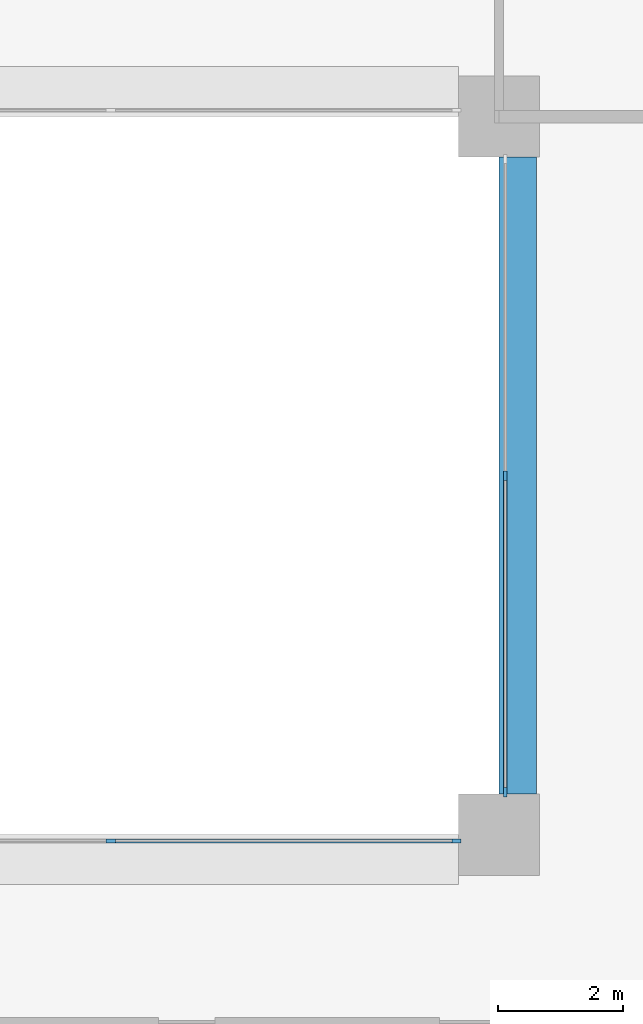
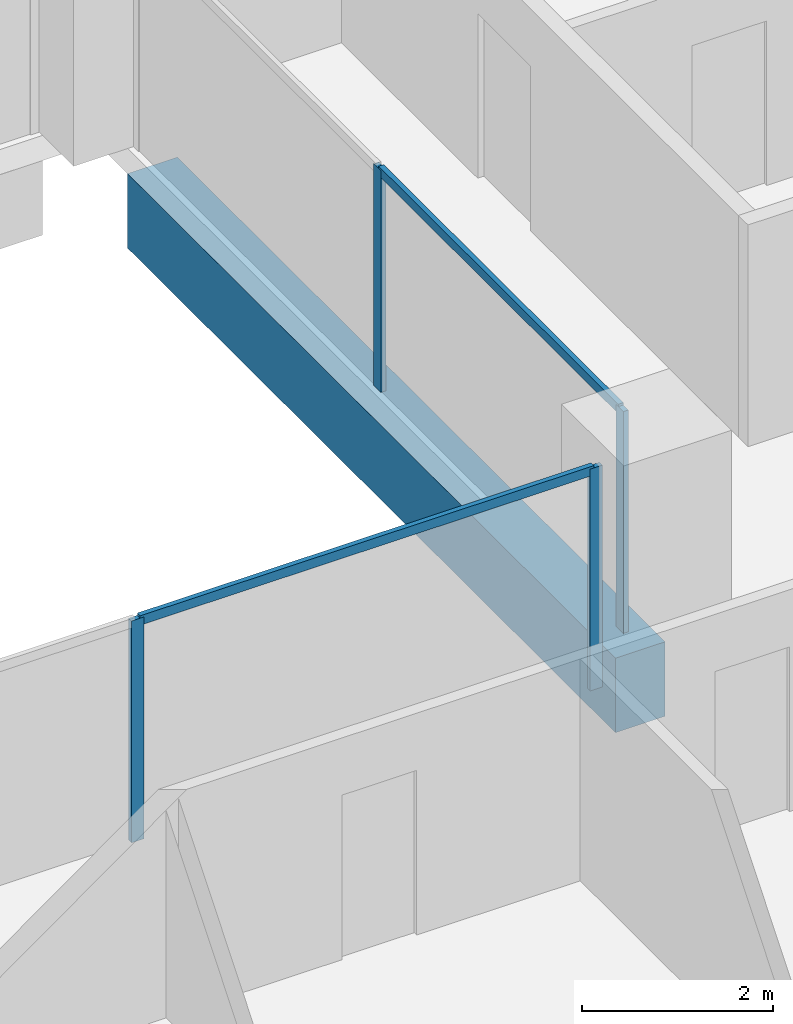
# One storey, part 4 of 16: 6 members, 1 beam, 2 elements without a shape of their own.
"""IFC4 building model written with IfcOpenShell, lengths in metres."""

import ifcopenshell
import ifcopenshell.guid

model = None  # the IFC model being written
_history = None  # IfcOwnerHistory: only IFC2X3 demands one
_inside = {}  # id of a spatial element -> (the spatial element, [elements in it])
_under = {}  # id of a project, library or spatial element -> (it, [spatial elements below it])
_declared = {}  # id of a project -> (the project, [libraries it declares])
_typed = {}  # id of a type object -> (the type object, [elements of that type])
_made_of = {}  # id of a material, layer set ... -> (it, [elements and type objects made of it])


def new_model(schema):
    """Start an empty IFC model of exactly this schema.

    Asked for "IFC4X3", IfcOpenShell would pick the latest addendum, in which some entities
    have other attributes; the version numbers below select the first issue.
    IFC2X3 requires an IfcOwnerHistory on every rooted entity: one is made here for all.
    """
    global model, _history
    if schema == "IFC4X3":
        model = ifcopenshell.file(schema_version=(4, 3, 0, 0))
    else:
        model = ifcopenshell.file(schema=schema)
    _inside.clear()
    _under.clear()
    _declared.clear()
    _typed.clear()
    _made_of.clear()
    _history = None
    if model.schema == "IFC2X3":
        org = make("IfcOrganization", Name="unknown")
        user = make(
            "IfcPersonAndOrganization",
            ThePerson=make("IfcPerson", FamilyName="unknown"),
            TheOrganization=org,
        )
        app = make(
            "IfcApplication",
            ApplicationDeveloper=org,
            Version="unknown",
            ApplicationFullName="unknown",
            ApplicationIdentifier="unknown",
        )
        _history = make(
            "IfcOwnerHistory",
            OwningUser=user,
            OwningApplication=app,
            ChangeAction="ADDED",
            CreationDate=0,
        )
    return model


def make(cls, **values):
    """One entity of the class cls with the attributes given. An attribute that is None is left unset."""
    return model.create_entity(
        cls, **{name: value for name, value in values.items() if value is not None}
    )


def rooted(cls, **values):
    """An entity with a GlobalId (a new one), such as an element, a storey or a relation."""
    return make(cls, GlobalId=ifcopenshell.guid.new(), OwnerHistory=_history, **values)


def si_unit(unit_type, name, prefix=None):
    """IfcSIUnit, for example si_unit("LENGTHUNIT", "METRE", prefix="MILLI")."""
    return make("IfcSIUnit", UnitType=unit_type, Prefix=prefix, Name=name)


def assignment(units):
    """IfcUnitAssignment: the units of a project."""
    return None if units is None else make("IfcUnitAssignment", Units=units)


def point(xyz):
    """IfcCartesianPoint."""
    return None if xyz is None else make("IfcCartesianPoint", Coordinates=xyz)


def direction(xyz):
    """IfcDirection."""
    return None if xyz is None else make("IfcDirection", DirectionRatios=xyz)


def frame(location, z_axis=None, x_axis=None):
    """IfcAxis2Placement3D, a coordinate frame: its origin and axes. An axis left out is left unset."""
    return make(
        "IfcAxis2Placement3D",
        Location=point(location),
        Axis=direction(z_axis),
        RefDirection=direction(x_axis),
    )


def frame_2d(location, x_axis=None):
    """IfcAxis2Placement2D, a coordinate frame in the plane: its origin and x axis."""
    return make(
        "IfcAxis2Placement2D", Location=point(location), RefDirection=direction(x_axis)
    )


def origin():
    """The frame at (0, 0, 0) with its axes left unset."""
    return frame((0.0, 0.0, 0.0))


def origin_2d():
    """The frame at (0, 0) in the plane with its x axis left unset."""
    return frame_2d((0.0, 0.0))


def place(relative_to, where):
    """IfcLocalPlacement: puts the frame where relative to a parent placement (None: the world)."""
    return make(
        "IfcLocalPlacement", PlacementRelTo=relative_to, RelativePlacement=where
    )


def context(
    kind, dimensions, precision=None, world=None, true_north=None, identifier=None
):
    """IfcGeometricRepresentationContext, for example the 3D "Model" context."""
    return make(
        "IfcGeometricRepresentationContext",
        ContextIdentifier=identifier,
        ContextType=kind,
        CoordinateSpaceDimension=dimensions,
        Precision=precision,
        WorldCoordinateSystem=world,
        TrueNorth=true_north,
    )


def subcontext(parent, identifier, kind, view, scale=None):
    """IfcGeometricRepresentationSubContext, for example "Body" below "Model"."""
    return make(
        "IfcGeometricRepresentationSubContext",
        ContextIdentifier=identifier,
        ContextType=kind,
        ParentContext=parent,
        TargetScale=scale,
        TargetView=view,
    )


def project(units=None, contexts=None):
    """IfcProject with its units and contexts."""
    return rooted(
        "IfcProject",
        Name="project",
        RepresentationContexts=contexts,
        UnitsInContext=assignment(units),
    )


def spatial(cls, under=None, at=None, **own):
    """A site, building, storey or space (cls), placed at a placement, below another one or the project."""
    s = rooted(cls, ObjectPlacement=at, **own)
    if under is not None:
        _under.setdefault(under.id(), (under, []))[1].append(s)
    return s


def profile(cls, at=None, kind="AREA", **sizes):
    """A parametric profile (cls). Its sizes go by their IFC names, for example OverallWidth=200.0."""
    return make(cls, ProfileType=kind, Position=at, **sizes)


def rectangle(**sizes):
    """IfcRectangleProfileDef."""
    return profile("IfcRectangleProfileDef", **sizes)


def extrude(swept, where, along, depth):
    """IfcExtrudedAreaSolid: the profile swept, set in the frame where, extruded along a direction by depth."""
    return make(
        "IfcExtrudedAreaSolid",
        SweptArea=swept,
        Position=where,
        ExtrudedDirection=direction(along),
        Depth=depth,
    )


def shape(context_of_items, identifier, shape_type, items):
    """IfcShapeRepresentation: the items that make up one representation, for example the "Body"."""
    return make(
        "IfcShapeRepresentation",
        ContextOfItems=context_of_items,
        RepresentationIdentifier=identifier,
        RepresentationType=shape_type,
        Items=items,
    )


def material(Name=None, Category=None):
    """IfcMaterial."""
    return make("IfcMaterial", Name=Name, Category=Category)


def layer(
    of_material, thickness, ventilated=None, Name=None, Category=None, Priority=None
):
    """IfcMaterialLayer: one layer of a wall or slab, of a material (None: an air gap)."""
    return make(
        "IfcMaterialLayer",
        Material=of_material,
        LayerThickness=thickness,
        IsVentilated=ventilated,
        Name=Name,
        Category=Category,
        Priority=Priority,
    )


def layer_set(layers, Name=None):
    """IfcMaterialLayerSet."""
    return make("IfcMaterialLayerSet", MaterialLayers=layers, LayerSetName=Name)


def material_profile(
    of_material, cross_section, Name=None, Category=None, Priority=None
):
    """IfcMaterialProfile: a cross section and its material."""
    return make(
        "IfcMaterialProfile",
        Name=Name,
        Material=of_material,
        Profile=cross_section,
        Priority=Priority,
        Category=Category,
    )


def profile_set(profiles, Name=None, composite=None):
    """IfcMaterialProfileSet."""
    return make(
        "IfcMaterialProfileSet",
        Name=Name,
        MaterialProfiles=profiles,
        CompositeProfile=composite,
    )


def made_of(thing, what):
    """Note that an element or type object is made of a material, layer set ...; save() writes the relation."""
    if what is not None:
        _made_of.setdefault(what.id(), (what, []))[1].append(thing)
    return thing


def type_object(cls, material=None, **own):
    """A type object (cls), such as IfcWallType, which elements share."""
    return made_of(rooted(cls, **own), material)


def element(
    cls,
    number,
    at=None,
    inside=None,
    cuts=None,
    type_object=None,
    material=None,
    context=None,
    identifier="Body",
    shape_type=None,
    held_by="IfcProductDefinitionShape",
    body=None,
    shapes=None,
    **own,
):
    """One element of the class cls, such as IfcWall. Its Tag is "e" and its number.

    at: its placement. inside: the storey or other place that contains it. cuts: it is an
    opening in that element (IfcRelVoidsElement). A single representation is given by context,
    identifier, shape_type and body (its items); several are given by shapes. held_by: the class
    of the entity that holds the representations. save() writes the other relations.
    """
    e = rooted(cls, Tag="e%d" % number, ObjectPlacement=at, **own)
    if body is not None:
        shapes = [shape(context, identifier, shape_type, body)]
    if shapes is not None:
        e.Representation = make(held_by, Representations=shapes)
    if inside is not None:
        _inside.setdefault(inside.id(), (inside, []))[1].append(e)
    if cuts is not None:
        rooted(
            "IfcRelVoidsElement", RelatingBuildingElement=cuts, RelatedOpeningElement=e
        )
    if type_object is not None:
        _typed.setdefault(type_object.id(), (type_object, []))[1].append(e)
    return made_of(e, material)


def aggregate(whole, parts):
    """IfcRelAggregates: a whole, such as a stair, and the parts it consists of."""
    return rooted("IfcRelAggregates", RelatingObject=whole, RelatedObjects=parts)


def save(model, path):
    """Write the relations noted so far, then the file.

    IfcRelAggregates (storeys below a building ...), IfcRelContainedInSpatialStructure (elements
    in a storey), IfcRelDefinesByType, IfcRelAssociatesMaterial and IfcRelDeclares: one each for
    every whole, place, type object, material and project.
    """
    for whole, parts in _under.values():
        aggregate(whole, parts)
    for where, things in _inside.values():
        rooted(
            "IfcRelContainedInSpatialStructure",
            RelatedElements=things,
            RelatingStructure=where,
        )
    for kind, things in _typed.values():
        rooted("IfcRelDefinesByType", RelatedObjects=things, RelatingType=kind)
    for what, things in _made_of.values():
        rooted("IfcRelAssociatesMaterial", RelatedObjects=things, RelatingMaterial=what)
    for by, libraries in _declared.values():
        rooted("IfcRelDeclares", RelatingContext=by, RelatedDefinitions=libraries)
    model.write(path)


model = new_model("IFC4")

# Units and contexts
model_context = context("Model", 3, precision=1e-05, world=origin(), true_north=direction((0.0, 1.0)))
body_context = subcontext(model_context, "Body", "Model", "MODEL_VIEW")
ifc_project = project(units=[si_unit("LENGTHUNIT", "METRE"), si_unit("AREAUNIT", "SQUARE_METRE"), si_unit("VOLUMEUNIT", "CUBIC_METRE"), si_unit("PLANEANGLEUNIT", "RADIAN"), si_unit("MASSUNIT", "GRAM", prefix="KILO")], contexts=[model_context])

# Site, building, storey
site_placement = place(None, origin())
site = spatial("IfcSite", under=ifc_project, at=site_placement, CompositionType="ELEMENT")
building_placement = place(site_placement, origin())
building = spatial("IfcBuilding", under=site, at=building_placement, Name="Brigalow Station Residences", CompositionType="ELEMENT")
storey_placement = place(building_placement, frame((0.0, 0.0, 89.85009765625)))
storey = spatial("IfcBuildingStorey", under=building, at=storey_placement, Name="L25", CompositionType="ELEMENT", Elevation=89.85009765625)

# Beam
ifc_material_1 = material(Name="Concrete C65", Category="concrete")
ifc_material_profile_1 = material_profile(ifc_material_1, rectangle(XDim=0.60009765625, YDim=0.949951171875, at=origin_2d()), Name="RC600x950")
ifc_profile_set_1 = profile_set([ifc_material_profile_1], Name="Concrete C65")
beam_type = type_object("IfcBeamType", Name="ATRIUM EDGE GIRDER 600x950 C65", PredefinedType="BEAM", material=ifc_profile_set_1)
beam_placement = place(storey_placement, frame((45.300048828125, 24.64990234375, -0.795166015625), z_axis=(0.0, 1.0, 0.0), x_axis=(-1.0, 0.0, 0.0)))
element("IfcBeam", 1, at=beam_placement, inside=storey, type_object=beam_type, Name="ATRIUM EDGE GIRDER 5 L25", PredefinedType="BEAM", context=body_context, shape_type="SweptSolid", body=[
    extrude(rectangle(XDim=0.60009765625, YDim=0.949951171875, at=origin_2d()), origin(), (0.0, 0.0, 1.0), 10.2001953125),
])

# Curtain wall, members
ifc_material_2 = material(Name="Aluminium", Category="aluminium")
ifc_layer = layer(ifc_material_2, 0.14990234375)
ifc_layer_set = layer_set([ifc_layer], Name="ATRIUM FIRE-RATED GLAZING CURTAIN WALL")
curtain_wall_type = type_object("IfcCurtainWallType", Name="ATRIUM FIRE-RATED GLAZING CURTAIN WALL", PredefinedType="NOTDEFINED", material=ifc_layer_set)
curtain_wall_1_placement = place(storey_placement, origin())
curtain_wall_1 = element("IfcCurtainWall", 2, at=curtain_wall_1_placement, inside=storey, type_object=curtain_wall_type, Name="L25/cw/atrium-S", PredefinedType="NOTDEFINED")
ifc_material_3 = material(Name="Aluminium", Category="aluminium")
ifc_material_profile_2 = material_profile(ifc_material_3, rectangle(XDim=0.06005859375, YDim=0.14990234375, at=origin_2d()), Name="ATRIUM FIRE-RATED GLAZING MULLION 60x150")
ifc_profile_set_2 = profile_set([ifc_material_profile_2], Name="Aluminium")
member_type_1 = type_object("IfcMemberType", Name="ATRIUM FIRE-RATED GLAZING MULLION 60x150", PredefinedType="MULLION", material=ifc_profile_set_2)
member_1_placement = place(storey_placement, frame((38.783203125, 23.89990234375, 0.0), z_axis=(0.0, 0.0, 1.0), x_axis=(0.0, 1.0, 0.0)))
member_1 = element("IfcMember", 3, at=member_1_placement, type_object=member_type_1, Name="L25/cw/atrium-S/M02", PredefinedType="MULLION", context=body_context, shape_type="SweptSolid", body=[
    extrude(rectangle(XDim=0.06005859375, YDim=0.14990234375, at=origin_2d()), origin(), (0.0, 0.0, 1.0), 2.829833984375),
])
member_2_placement = place(storey_placement, frame((44.320068359375, 23.89990234375, 0.0), z_axis=(0.0, 0.0, 1.0), x_axis=(0.0, 1.0, 0.0)))
member_2 = element("IfcMember", 4, at=member_2_placement, type_object=member_type_1, Name="L25/cw/atrium-S/M03", PredefinedType="MULLION", context=body_context, shape_type="SweptSolid", body=[
    extrude(rectangle(XDim=0.06005859375, YDim=0.14990234375, at=origin_2d()), origin(), (0.0, 0.0, 1.0), 2.829833984375),
])

curtain_wall_2_placement = place(storey_placement, origin())
curtain_wall_2 = element("IfcCurtainWall", 5, at=curtain_wall_2_placement, inside=storey, type_object=curtain_wall_type, Name="L25/cw/atrium-E", PredefinedType="NOTDEFINED")
member_3_placement = place(storey_placement, frame((45.10009765625, 24.679931640625, 0.0), z_axis=(0.0, 0.0, 1.0), x_axis=(-1.0, 0.0, 0.0)))
member_3 = element("IfcMember", 6, at=member_3_placement, type_object=member_type_1, Name="L25/cw/atrium-E/M00", PredefinedType="MULLION", context=body_context, shape_type="SweptSolid", body=[
    extrude(rectangle(XDim=0.06005859375, YDim=0.14990234375, at=origin_2d()), origin(), (0.0, 0.0, 1.0), 2.829833984375),
])
member_4_placement = place(storey_placement, frame((45.10009765625, 29.75, 0.0), z_axis=(0.0, 0.0, 1.0), x_axis=(-1.0, 0.0, 0.0)))
member_4 = element("IfcMember", 7, at=member_4_placement, type_object=member_type_1, Name="L25/cw/atrium-E/M01", PredefinedType="MULLION", context=body_context, shape_type="SweptSolid", body=[
    extrude(rectangle(XDim=0.06005859375, YDim=0.14990234375, at=origin_2d()), origin(), (0.0, 0.0, 1.0), 2.829833984375),
])

# Member
ifc_material_4 = material(Name="Aluminium", Category="aluminium")
ifc_material_profile_3 = material_profile(ifc_material_4, rectangle(XDim=0.06005859375, YDim=0.1201171875, at=origin_2d()), Name="ATRIUM FIRE-RATED GLAZING TRANSOM 60x120")
ifc_profile_set_3 = profile_set([ifc_material_profile_3], Name="Aluminium")
member_type_2 = type_object("IfcMemberType", Name="ATRIUM FIRE-RATED GLAZING TRANSOM 60x120", PredefinedType="USERDEFINED", material=ifc_profile_set_3)
member_5_placement = place(storey_placement, frame((38.813232421875, 23.89990234375, 2.7998046875), z_axis=(1.0, 0.0, 0.0), x_axis=(0.0, 1.0, 0.0)))
member_5 = element("IfcMember", 8, at=member_5_placement, type_object=member_type_2, Name="L25/cw/atrium-S/T02-00", ObjectType="TRANSOM", PredefinedType="USERDEFINED", context=body_context, shape_type="SweptSolid", body=[
    extrude(rectangle(XDim=0.06005859375, YDim=0.1201171875, at=origin_2d()), origin(), (0.0, 0.0, 1.0), 5.476806640625),
])

aggregate(curtain_wall_1, [member_1, member_2, member_5])

member_6_placement = place(storey_placement, frame((45.10009765625, 24.7099609375, 2.7998046875), z_axis=(0.0, 1.0, 0.0), x_axis=(-1.0, 0.0, 0.0)))
member_6 = element("IfcMember", 9, at=member_6_placement, type_object=member_type_2, Name="L25/cw/atrium-E/T00-00", ObjectType="TRANSOM", PredefinedType="USERDEFINED", context=body_context, shape_type="SweptSolid", body=[
    extrude(rectangle(XDim=0.06005859375, YDim=0.1201171875, at=origin_2d()), origin(), (0.0, 0.0, 1.0), 5.010009765625),
])

aggregate(curtain_wall_2, [member_3, member_4, member_6])

save(model, "model.ifc")
